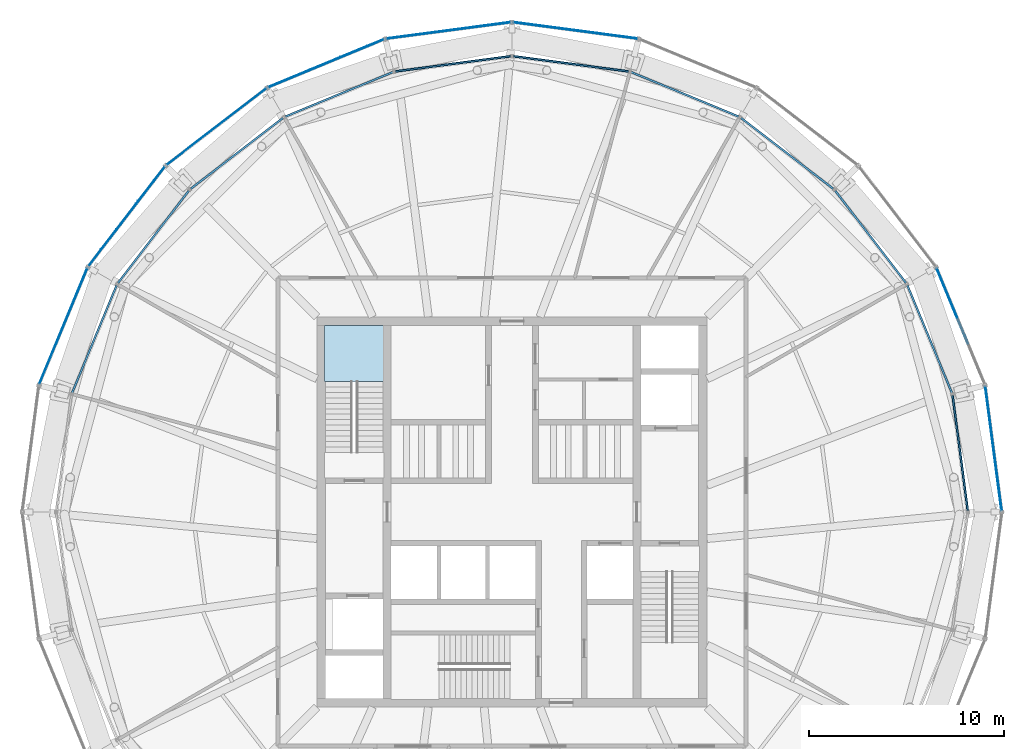
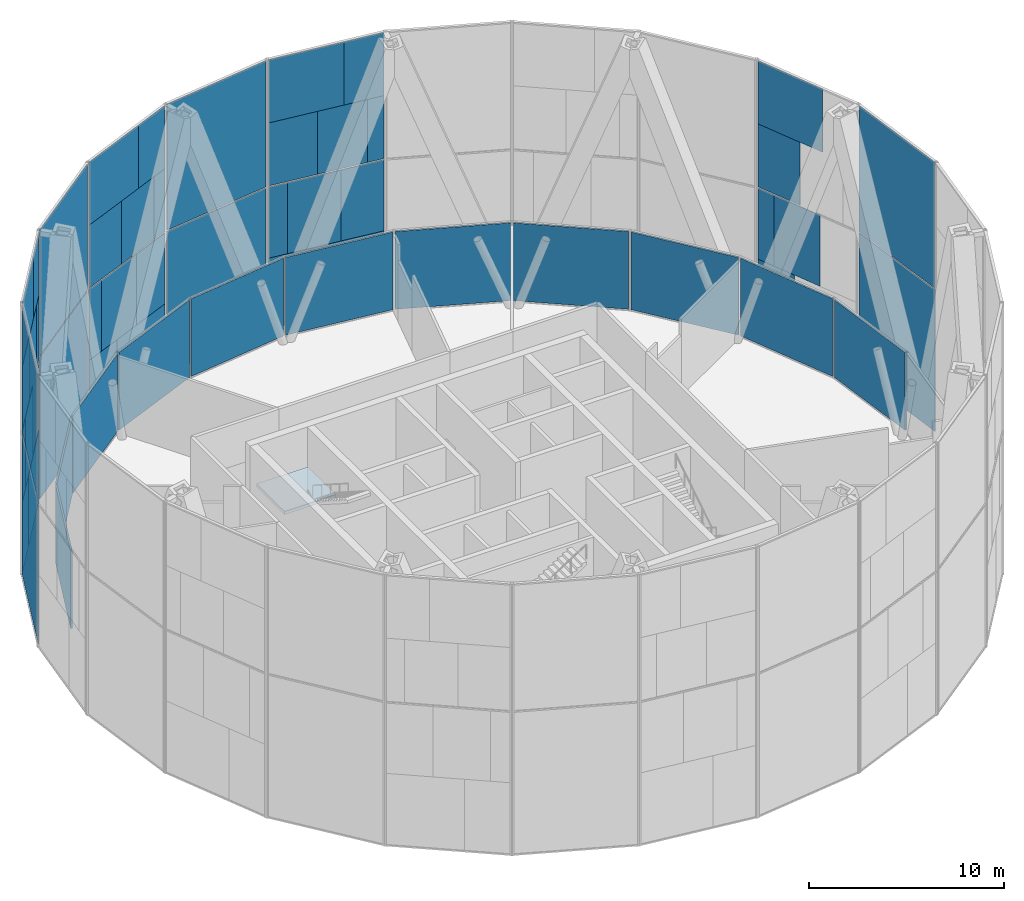
# One storey, part 11 of 15: 54 plates, 1 slab, 20 elements without a shape of their own.
"""IFC4 building model written with IfcOpenShell, lengths in metres."""

from ifc_helpers import new_model, si_unit, direction, frame, origin, origin_2d, place, context, subcontext, project, spatial, polyline, rectangle, outline, extrude, material, layer, layer_set, type_object, element, aggregate, save


model = new_model("IFC4")

# Units and contexts
model_context = context("Model", 3, precision=1e-05, world=origin(), true_north=direction((0.0, 1.0)))
body_context = subcontext(model_context, "Body", "Model", "MODEL_VIEW")
ifc_project = project(units=[si_unit("LENGTHUNIT", "METRE"), si_unit("AREAUNIT", "SQUARE_METRE"), si_unit("VOLUMEUNIT", "CUBIC_METRE"), si_unit("PLANEANGLEUNIT", "RADIAN"), si_unit("MASSUNIT", "GRAM", prefix="KILO")], contexts=[model_context])

# Site, building, storey
site_placement = place(None, origin())
site = spatial("IfcSite", under=ifc_project, at=site_placement, CompositionType="ELEMENT")
building_placement = place(site_placement, origin())
building = spatial("IfcBuilding", under=site, at=building_placement, Name="Golbaran Civic Tower", CompositionType="ELEMENT")
storey_placement = place(building_placement, frame((0.0, 0.0, 215.0)))
storey = spatial("IfcBuildingStorey", under=building, at=storey_placement, Name="L52", CompositionType="ELEMENT", Elevation=215.0)

# Curtain wall, plates
ifc_material_1 = material(Name="Aluminium and glass", Category="aluminium")
curtain_wall_type_1 = type_object("IfcCurtainWallType", Name="OUTER SKIN TERRACOTTA SCREEN", PredefinedType="NOTDEFINED", material=ifc_material_1)
curtain_wall_1_placement = place(storey_placement, origin())
curtain_wall_1 = element("IfcCurtainWall", 1, at=curtain_wall_1_placement, inside=storey, type_object=curtain_wall_type_1, Name="Outer skin L52 facet 2 CW3", ObjectType="OUTER SKIN", PredefinedType="USERDEFINED")
ifc_material_2 = material(Name="Clear laminated glass", Category="glass")
ifc_layer_1 = layer(ifc_material_2, 0.0400390625, Name="Clear laminated glass")
ifc_layer_set_1 = layer_set([ifc_layer_1], Name="Clear laminated glass")
plate_type_1 = type_object("IfcPlateType", Name="OUTER SKIN CLEAR GLASS PANEL", PredefinedType="CURTAIN_PANEL", material=ifc_layer_set_1)
plate_1_placement = place(storey_placement, frame((21.971923828125, 11.998779296875, 3.81005859375), z_axis=(0.0, 0.0, 1.0), x_axis=(-0.38268343243, 0.923879532485, 0.0)))
plate_1 = element("IfcPlate", 2, at=plate_1_placement, type_object=plate_type_1, Name="CW3 panel 1.1 part 5", PredefinedType="CURTAIN_PANEL", context=body_context, shape_type="SweptSolid", body=[
    extrude(rectangle(XDim=1.0400390625, YDim=0.0400390625, at=origin_2d()), origin(), (0.0, 0.0, 1.0), 4.43994140625),
])
plate_2_placement = place(storey_placement, frame((22.292236328125, 11.225341796875, 8.330078125), z_axis=(0.0, 0.0, 1.0), x_axis=(-0.38268343243, 0.923879532485, 0.0)))
plate_2 = element("IfcPlate", 3, at=plate_2_placement, type_object=plate_type_1, Name="CW3 panel 1.2 part 3", PredefinedType="CURTAIN_PANEL", context=body_context, shape_type="SweptSolid", body=[
    extrude(rectangle(XDim=2.7138671875, YDim=0.0400390625, at=origin_2d()), origin(), (0.0, 0.0, 1.0), 3.93994140625),
])
plate_3_placement = place(storey_placement, frame((22.57177734375, 10.550537109375, 12.27001953125), z_axis=(0.0, 0.0, 1.0), x_axis=(-0.38268343243, 0.923879532485, 0.0)))
plate_3 = element("IfcPlate", 4, at=plate_3_placement, type_object=plate_type_1, Name="CW3 panel 1.2 part 5", PredefinedType="CURTAIN_PANEL", context=body_context, shape_type="SweptSolid", body=[
    extrude(rectangle(XDim=4.175048828125, YDim=0.0400390625, at=origin_2d()), origin(), (0.0, 0.0, 1.0), 3.93994140625),
])

curtain_wall_2_placement = place(storey_placement, origin())
curtain_wall_2 = element("IfcCurtainWall", 5, at=curtain_wall_2_placement, inside=storey, type_object=curtain_wall_type_1, Name="Outer skin L52 facet 6 CW3", ObjectType="OUTER SKIN", PredefinedType="USERDEFINED")
plate_4_placement = place(storey_placement, frame((4.41943359375, 24.524169921875, -0.6298828125), z_axis=(0.0, 0.0, 1.0), x_axis=(-0.991444861376, 0.130526192203, 0.0)))
plate_4 = element("IfcPlate", 6, at=plate_4_placement, type_object=plate_type_1, Name="CW3 panel 1.1 part 1", PredefinedType="CURTAIN_PANEL", context=body_context, shape_type="SweptSolid", body=[
    extrude(rectangle(XDim=4.032958984375, YDim=0.0400390625, at=origin_2d()), origin(), (0.0, 0.0, 1.0), 4.43994140625),
])
plate_5_placement = place(storey_placement, frame((5.232421875, 24.417236328125, 3.81005859375), z_axis=(0.0, 0.0, 1.0), x_axis=(-0.991444861376, 0.130526192203, 0.0)))
plate_5 = element("IfcPlate", 7, at=plate_5_placement, type_object=plate_type_1, Name="CW3 panel 1.1 part 3", PredefinedType="CURTAIN_PANEL", context=body_context, shape_type="SweptSolid", body=[
    extrude(rectangle(XDim=2.39306640625, YDim=0.0400390625, at=origin_2d()), origin(), (0.0, 0.0, 1.0), 4.43994140625),
])
plate_6_placement = place(storey_placement, frame((0.594970703125, 25.027587890625, 3.81005859375), z_axis=(0.0, 0.0, 1.0), x_axis=(-0.991444861376, 0.130526192203, 0.0)))
plate_6 = element("IfcPlate", 8, at=plate_6_placement, type_object=plate_type_1, Name="CW3 panel 1.1 part 5", PredefinedType="CURTAIN_PANEL", context=body_context, shape_type="SweptSolid", body=[
    extrude(rectangle(XDim=1.0400390625, YDim=0.0400390625, at=origin_2d()), origin(), (0.0, 0.0, 1.0), 4.43994140625),
])
plate_7_placement = place(storey_placement, frame((5.968505859375, 24.3203125, 8.330078125), z_axis=(0.0, 0.0, 1.0), x_axis=(-0.991444861376, 0.130526192203, 0.0)))
plate_7 = element("IfcPlate", 9, at=plate_7_placement, type_object=plate_type_1, Name="CW3 panel 1.2 part 1", PredefinedType="CURTAIN_PANEL", context=body_context, shape_type="SweptSolid", body=[
    extrude(rectangle(XDim=0.907958984375, YDim=0.0400390625, at=origin_2d()), origin(), (0.0, 0.0, 1.0), 3.93994140625),
])
plate_8_placement = place(storey_placement, frame((1.4248046875, 24.91845703125, 8.330078125), z_axis=(0.0, 0.0, 1.0), x_axis=(-0.991444861376, 0.130526192203, 0.0)))
plate_8 = element("IfcPlate", 10, at=plate_8_placement, type_object=plate_type_1, Name="CW3 panel 1.2 part 3", PredefinedType="CURTAIN_PANEL", context=body_context, shape_type="SweptSolid", body=[
    extrude(rectangle(XDim=2.7138671875, YDim=0.0400390625, at=origin_2d()), origin(), (0.0, 0.0, 1.0), 3.93994140625),
])
plate_9_placement = place(storey_placement, frame((2.14892578125, 24.822998046875, 12.27001953125), z_axis=(0.0, 0.0, 1.0), x_axis=(-0.991444861376, 0.130526192203, 0.0)))
plate_9 = element("IfcPlate", 11, at=plate_9_placement, type_object=plate_type_1, Name="CW3 panel 1.2 part 5", PredefinedType="CURTAIN_PANEL", context=body_context, shape_type="SweptSolid", body=[
    extrude(rectangle(XDim=4.175048828125, YDim=0.0400390625, at=origin_2d()), origin(), (0.0, 0.0, 1.0), 3.93994140625),
])

curtain_wall_3_placement = place(storey_placement, origin())
curtain_wall_3 = element("IfcCurtainWall", 12, at=curtain_wall_3_placement, inside=storey, type_object=curtain_wall_type_1, Name="Outer skin L52 facet 8 CW3", ObjectType="OUTER SKIN", PredefinedType="USERDEFINED")
plate_10_placement = place(storey_placement, frame((-8.434814453125, 23.4482421875, -0.6298828125), z_axis=(0.0, 0.0, 1.0), x_axis=(-0.923879532485, -0.38268343243, 0.0)))
plate_10 = element("IfcPlate", 13, at=plate_10_placement, type_object=plate_type_1, Name="CW3 panel 1.1 part 1", PredefinedType="CURTAIN_PANEL", context=body_context, shape_type="SweptSolid", body=[
    extrude(rectangle(XDim=4.032958984375, YDim=0.0400390625, at=origin_2d()), origin(), (0.0, 0.0, 1.0), 4.43994140625),
])
plate_11_placement = place(storey_placement, frame((-7.67724609375, 23.761962890625, 3.81005859375), z_axis=(0.0, 0.0, 1.0), x_axis=(-0.923879532485, -0.38268343243, 0.0)))
plate_11 = element("IfcPlate", 14, at=plate_11_placement, type_object=plate_type_1, Name="CW3 panel 1.1 part 3", PredefinedType="CURTAIN_PANEL", context=body_context, shape_type="SweptSolid", body=[
    extrude(rectangle(XDim=2.39306640625, YDim=0.0400390625, at=origin_2d()), origin(), (0.0, 0.0, 1.0), 4.43994140625),
])
plate_12_placement = place(storey_placement, frame((-11.998779296875, 21.971923828125, 3.81005859375), z_axis=(0.0, 0.0, 1.0), x_axis=(-0.923879532485, -0.38268343243, 0.0)))
plate_12 = element("IfcPlate", 15, at=plate_12_placement, type_object=plate_type_1, Name="CW3 panel 1.1 part 5", PredefinedType="CURTAIN_PANEL", context=body_context, shape_type="SweptSolid", body=[
    extrude(rectangle(XDim=1.0400390625, YDim=0.0400390625, at=origin_2d()), origin(), (0.0, 0.0, 1.0), 4.43994140625),
])
plate_13_placement = place(storey_placement, frame((-6.9912109375, 24.046142578125, 8.330078125), z_axis=(0.0, 0.0, 1.0), x_axis=(-0.923879532485, -0.38268343243, 0.0)))
plate_13 = element("IfcPlate", 16, at=plate_13_placement, type_object=plate_type_1, Name="CW3 panel 1.2 part 1", PredefinedType="CURTAIN_PANEL", context=body_context, shape_type="SweptSolid", body=[
    extrude(rectangle(XDim=0.907958984375, YDim=0.0400390625, at=origin_2d()), origin(), (0.0, 0.0, 1.0), 3.93994140625),
])
plate_14_placement = place(storey_placement, frame((-11.225341796875, 22.292236328125, 8.330078125), z_axis=(0.0, 0.0, 1.0), x_axis=(-0.923879532485, -0.38268343243, 0.0)))
plate_14 = element("IfcPlate", 17, at=plate_14_placement, type_object=plate_type_1, Name="CW3 panel 1.2 part 3", PredefinedType="CURTAIN_PANEL", context=body_context, shape_type="SweptSolid", body=[
    extrude(rectangle(XDim=2.7138671875, YDim=0.0400390625, at=origin_2d()), origin(), (0.0, 0.0, 1.0), 3.93994140625),
])
plate_15_placement = place(storey_placement, frame((-10.550537109375, 22.57177734375, 12.27001953125), z_axis=(0.0, 0.0, 1.0), x_axis=(-0.923879532485, -0.38268343243, 0.0)))
plate_15 = element("IfcPlate", 18, at=plate_15_placement, type_object=plate_type_1, Name="CW3 panel 1.2 part 5", PredefinedType="CURTAIN_PANEL", context=body_context, shape_type="SweptSolid", body=[
    extrude(rectangle(XDim=4.175048828125, YDim=0.0400390625, at=origin_2d()), origin(), (0.0, 0.0, 1.0), 3.93994140625),
])

curtain_wall_4_placement = place(storey_placement, origin())
curtain_wall_4 = element("IfcCurtainWall", 19, at=curtain_wall_4_placement, inside=storey, type_object=curtain_wall_type_1, Name="Outer skin L52 facet 10 CW3", ObjectType="OUTER SKIN", PredefinedType="USERDEFINED")
plate_16_placement = place(storey_placement, frame((-19.02880859375, 16.08935546875, -0.6298828125), z_axis=(0.0, 0.0, 1.0), x_axis=(-0.60876142905, -0.793353340259, 0.0)))
plate_16 = element("IfcPlate", 20, at=plate_16_placement, type_object=plate_type_1, Name="CW3 panel 1.1 part 1", PredefinedType="CURTAIN_PANEL", context=body_context, shape_type="SweptSolid", body=[
    extrude(rectangle(XDim=4.032958984375, YDim=0.0400390625, at=origin_2d()), origin(), (0.0, 0.0, 1.0), 4.43994140625),
])
plate_17_placement = place(storey_placement, frame((-18.52978515625, 16.739990234375, 3.81005859375), z_axis=(0.0, 0.0, 1.0), x_axis=(-0.60876142905, -0.793353340259, 0.0)))
plate_17 = element("IfcPlate", 21, at=plate_17_placement, type_object=plate_type_1, Name="CW3 panel 1.1 part 3", PredefinedType="CURTAIN_PANEL", context=body_context, shape_type="SweptSolid", body=[
    extrude(rectangle(XDim=2.39306640625, YDim=0.0400390625, at=origin_2d()), origin(), (0.0, 0.0, 1.0), 4.43994140625),
])
plate_18_placement = place(storey_placement, frame((-21.377197265625, 13.029052734375, 3.81005859375), z_axis=(0.0, 0.0, 1.0), x_axis=(-0.60876142905, -0.793353340259, 0.0)))
plate_18 = element("IfcPlate", 22, at=plate_18_placement, type_object=plate_type_1, Name="CW3 panel 1.1 part 5", PredefinedType="CURTAIN_PANEL", context=body_context, shape_type="SweptSolid", body=[
    extrude(rectangle(XDim=1.0400390625, YDim=0.0400390625, at=origin_2d()), origin(), (0.0, 0.0, 1.0), 4.43994140625),
])
plate_19_placement = place(storey_placement, frame((-18.07763671875, 17.328857421875, 8.330078125), z_axis=(0.0, 0.0, 1.0), x_axis=(-0.60876142905, -0.793353340259, 0.0)))
plate_19 = element("IfcPlate", 23, at=plate_19_placement, type_object=plate_type_1, Name="CW3 panel 1.2 part 1", PredefinedType="CURTAIN_PANEL", context=body_context, shape_type="SweptSolid", body=[
    extrude(rectangle(XDim=0.907958984375, YDim=0.0400390625, at=origin_2d()), origin(), (0.0, 0.0, 1.0), 3.93994140625),
])
plate_20_placement = place(storey_placement, frame((-20.86767578125, 13.693115234375, 8.330078125), z_axis=(0.0, 0.0, 1.0), x_axis=(-0.60876142905, -0.793353340259, 0.0)))
plate_20 = element("IfcPlate", 24, at=plate_20_placement, type_object=plate_type_1, Name="CW3 panel 1.2 part 3", PredefinedType="CURTAIN_PANEL", context=body_context, shape_type="SweptSolid", body=[
    extrude(rectangle(XDim=2.7138671875, YDim=0.0400390625, at=origin_2d()), origin(), (0.0, 0.0, 1.0), 3.93994140625),
])
plate_21_placement = place(storey_placement, frame((-20.4228515625, 14.272705078125, 12.27001953125), z_axis=(0.0, 0.0, 1.0), x_axis=(-0.60876142905, -0.793353340259, 0.0)))
plate_21 = element("IfcPlate", 25, at=plate_21_placement, type_object=plate_type_1, Name="CW3 panel 1.2 part 5", PredefinedType="CURTAIN_PANEL", context=body_context, shape_type="SweptSolid", body=[
    extrude(rectangle(XDim=4.175048828125, YDim=0.0400390625, at=origin_2d()), origin(), (0.0, 0.0, 1.0), 3.93994140625),
])

# Plate
ifc_material_3 = material(Name="Terracotta baguette screen", Category="masonry")
ifc_layer_2 = layer(ifc_material_3, 0.0400390625, Name="Terracotta baguette screen")
ifc_layer_set_2 = layer_set([ifc_layer_2], Name="Terracotta baguette screen")
plate_type_2 = type_object("IfcPlateType", Name="OUTER SKIN TERRACOTTA INFILL PANEL", PredefinedType="CURTAIN_PANEL", material=ifc_layer_set_2)
plate_22_placement = place(storey_placement, frame((22.224853515625, 11.388427734375, -0.6298828125), z_axis=(0.0, 0.0, 1.0), x_axis=(-0.38268343243, 0.923879532485, 0.0)))
plate_22 = element("IfcPlate", 26, at=plate_22_placement, type_object=plate_type_2, Name="CW3 infill panel 1.1 part 2", PredefinedType="CURTAIN_PANEL", context=body_context, shape_type="SweptSolid", body=[
    extrude(rectangle(XDim=2.361083984375, YDim=0.0400390625, at=origin_2d()), origin(), (0.0, 0.0, 1.0), 4.43994140625),
])

plate_23_placement = place(storey_placement, frame((22.737548828125, 10.150390625, 3.81005859375), z_axis=(0.0, 0.0, 1.0), x_axis=(-0.38268343243, 0.923879532485, 0.0)))
plate_23 = element("IfcPlate", 27, at=plate_23_placement, type_object=plate_type_2, Name="CW3 infill panel 1.1 part 4", PredefinedType="CURTAIN_PANEL", context=body_context, shape_type="SweptSolid", body=[
    extrude(rectangle(XDim=2.9609375, YDim=0.0400390625, at=origin_2d()), origin(), (0.0, 0.0, 1.0), 4.43994140625),
])

aggregate(curtain_wall_1, [plate_22, plate_23, plate_1, plate_2, plate_3])

plate_24_placement = place(storey_placement, frame((1.249755859375, 24.94140625, -0.6298828125), z_axis=(0.0, 0.0, 1.0), x_axis=(-0.991444861376, 0.130526192203, 0.0)))
plate_24 = element("IfcPlate", 28, at=plate_24_placement, type_object=plate_type_2, Name="CW3 infill panel 1.1 part 2", PredefinedType="CURTAIN_PANEL", context=body_context, shape_type="SweptSolid", body=[
    extrude(rectangle(XDim=2.361083984375, YDim=0.0400390625, at=origin_2d()), origin(), (0.0, 0.0, 1.0), 4.43994140625),
])

plate_25_placement = place(storey_placement, frame((2.578125, 24.7666015625, 3.81005859375), z_axis=(0.0, 0.0, 1.0), x_axis=(-0.991444861376, 0.130526192203, 0.0)))
plate_25 = element("IfcPlate", 29, at=plate_25_placement, type_object=plate_type_2, Name="CW3 infill panel 1.1 part 4", PredefinedType="CURTAIN_PANEL", context=body_context, shape_type="SweptSolid", body=[
    extrude(rectangle(XDim=2.9609375, YDim=0.0400390625, at=origin_2d()), origin(), (0.0, 0.0, 1.0), 4.43994140625),
])

plate_26_placement = place(storey_placement, frame((4.144287109375, 24.560302734375, 8.330078125), z_axis=(0.0, 0.0, 1.0), x_axis=(-0.991444861376, 0.130526192203, 0.0)))
plate_26 = element("IfcPlate", 30, at=plate_26_placement, type_object=plate_type_2, Name="CW3 infill panel 1.2 part 2", PredefinedType="CURTAIN_PANEL", context=body_context, shape_type="SweptSolid", body=[
    extrude(rectangle(XDim=2.77197265625, YDim=0.0400390625, at=origin_2d()), origin(), (0.0, 0.0, 1.0), 3.93994140625),
])

plate_27_placement = place(storey_placement, frame((5.318603515625, 24.40576171875, 12.27001953125), z_axis=(0.0, 0.0, 1.0), x_axis=(-0.991444861376, 0.130526192203, 0.0)))
plate_27 = element("IfcPlate", 31, at=plate_27_placement, type_object=plate_type_2, Name="CW3 infill panel 1.2 part 4", PredefinedType="CURTAIN_PANEL", context=body_context, shape_type="SweptSolid", body=[
    extrude(rectangle(XDim=2.218994140625, YDim=0.0400390625, at=origin_2d()), origin(), (0.0, 0.0, 1.0), 3.93994140625),
])

aggregate(curtain_wall_2, [plate_4, plate_24, plate_5, plate_25, plate_6, plate_7, plate_26, plate_8, plate_27, plate_9])

plate_28_placement = place(storey_placement, frame((-11.388427734375, 22.224853515625, -0.6298828125), z_axis=(0.0, 0.0, 1.0), x_axis=(-0.923879532485, -0.38268343243, 0.0)))
plate_28 = element("IfcPlate", 32, at=plate_28_placement, type_object=plate_type_2, Name="CW3 infill panel 1.1 part 2", PredefinedType="CURTAIN_PANEL", context=body_context, shape_type="SweptSolid", body=[
    extrude(rectangle(XDim=2.361083984375, YDim=0.0400390625, at=origin_2d()), origin(), (0.0, 0.0, 1.0), 4.43994140625),
])

plate_29_placement = place(storey_placement, frame((-10.150390625, 22.737548828125, 3.81005859375), z_axis=(0.0, 0.0, 1.0), x_axis=(-0.923879532485, -0.38268343243, 0.0)))
plate_29 = element("IfcPlate", 33, at=plate_29_placement, type_object=plate_type_2, Name="CW3 infill panel 1.1 part 4", PredefinedType="CURTAIN_PANEL", context=body_context, shape_type="SweptSolid", body=[
    extrude(rectangle(XDim=2.9609375, YDim=0.0400390625, at=origin_2d()), origin(), (0.0, 0.0, 1.0), 4.43994140625),
])

plate_30_placement = place(storey_placement, frame((-8.691162109375, 23.342041015625, 8.330078125), z_axis=(0.0, 0.0, 1.0), x_axis=(-0.923879532485, -0.38268343243, 0.0)))
plate_30 = element("IfcPlate", 34, at=plate_30_placement, type_object=plate_type_2, Name="CW3 infill panel 1.2 part 2", PredefinedType="CURTAIN_PANEL", context=body_context, shape_type="SweptSolid", body=[
    extrude(rectangle(XDim=2.77197265625, YDim=0.0400390625, at=origin_2d()), origin(), (0.0, 0.0, 1.0), 3.93994140625),
])

plate_31_placement = place(storey_placement, frame((-7.596923828125, 23.79541015625, 12.27001953125), z_axis=(0.0, 0.0, 1.0), x_axis=(-0.923879532485, -0.38268343243, 0.0)))
plate_31 = element("IfcPlate", 35, at=plate_31_placement, type_object=plate_type_2, Name="CW3 infill panel 1.2 part 4", PredefinedType="CURTAIN_PANEL", context=body_context, shape_type="SweptSolid", body=[
    extrude(rectangle(XDim=2.218994140625, YDim=0.0400390625, at=origin_2d()), origin(), (0.0, 0.0, 1.0), 3.93994140625),
])

aggregate(curtain_wall_3, [plate_10, plate_28, plate_11, plate_29, plate_12, plate_13, plate_30, plate_14, plate_31, plate_15])

plate_32_placement = place(storey_placement, frame((-20.97509765625, 13.552978515625, -0.6298828125), z_axis=(0.0, 0.0, 1.0), x_axis=(-0.60876142905, -0.793353340259, 0.0)))
plate_32 = element("IfcPlate", 36, at=plate_32_placement, type_object=plate_type_2, Name="CW3 infill panel 1.1 part 2", PredefinedType="CURTAIN_PANEL", context=body_context, shape_type="SweptSolid", body=[
    extrude(rectangle(XDim=2.361083984375, YDim=0.0400390625, at=origin_2d()), origin(), (0.0, 0.0, 1.0), 4.43994140625),
])

plate_33_placement = place(storey_placement, frame((-20.159423828125, 14.6162109375, 3.81005859375), z_axis=(0.0, 0.0, 1.0), x_axis=(-0.60876142905, -0.793353340259, 0.0)))
plate_33 = element("IfcPlate", 37, at=plate_33_placement, type_object=plate_type_2, Name="CW3 infill panel 1.1 part 4", PredefinedType="CURTAIN_PANEL", context=body_context, shape_type="SweptSolid", body=[
    extrude(rectangle(XDim=2.9609375, YDim=0.0400390625, at=origin_2d()), origin(), (0.0, 0.0, 1.0), 4.43994140625),
])

plate_34_placement = place(storey_placement, frame((-19.19775390625, 15.869140625, 8.330078125), z_axis=(0.0, 0.0, 1.0), x_axis=(-0.60876142905, -0.793353340259, 0.0)))
plate_34 = element("IfcPlate", 38, at=plate_34_placement, type_object=plate_type_2, Name="CW3 infill panel 1.2 part 2", PredefinedType="CURTAIN_PANEL", context=body_context, shape_type="SweptSolid", body=[
    extrude(rectangle(XDim=2.77197265625, YDim=0.0400390625, at=origin_2d()), origin(), (0.0, 0.0, 1.0), 3.93994140625),
])

plate_35_placement = place(storey_placement, frame((-18.476806640625, 16.808837890625, 12.27001953125), z_axis=(0.0, 0.0, 1.0), x_axis=(-0.60876142905, -0.793353340259, 0.0)))
plate_35 = element("IfcPlate", 39, at=plate_35_placement, type_object=plate_type_2, Name="CW3 infill panel 1.2 part 4", PredefinedType="CURTAIN_PANEL", context=body_context, shape_type="SweptSolid", body=[
    extrude(rectangle(XDim=2.218994140625, YDim=0.0400390625, at=origin_2d()), origin(), (0.0, 0.0, 1.0), 3.93994140625),
])

aggregate(curtain_wall_4, [plate_16, plate_32, plate_17, plate_33, plate_18, plate_19, plate_34, plate_20, plate_35, plate_21])

# Curtain wall, plates
curtain_wall_5_placement = place(storey_placement, origin())
curtain_wall_5 = element("IfcCurtainWall", 40, at=curtain_wall_5_placement, inside=storey, type_object=curtain_wall_type_1, Name="Outer skin L52 facet 1 CW3", ObjectType="OUTER SKIN", PredefinedType="USERDEFINED")
ifc_layer_3 = layer(ifc_material_3, 0.0400390625, Name="Terracotta baguette screen")
ifc_layer_set_3 = layer_set([ifc_layer_3], Name="Terracotta baguette screen")
plate_type_3 = type_object("IfcPlateType", Name="OUTER SKIN TERRACOTTA SCREEN PANEL", PredefinedType="CURTAIN_PANEL", material=ifc_layer_set_3)
plate_36_placement = place(storey_placement, frame((24.67822265625, 3.2490234375, -0.6298828125), z_axis=(0.0, 0.0, 1.0), x_axis=(-0.130526192203, 0.991444861376, 0.0)))
plate_36 = element("IfcPlate", 41, at=plate_36_placement, type_object=plate_type_3, Name="CW3 terracotta screen panel 1.1", PredefinedType="CURTAIN_PANEL", context=body_context, shape_type="SweptSolid", body=[
    extrude(rectangle(XDim=6.39404296875, YDim=0.0400390625, at=origin_2d()), origin(), (0.0, 0.0, 1.0), 8.8798828125),
])
plate_37_placement = place(storey_placement, frame((24.67822265625, 3.2490234375, 8.330078125), z_axis=(0.0, 0.0, 1.0), x_axis=(-0.130526192203, 0.991444861376, 0.0)))
plate_37 = element("IfcPlate", 42, at=plate_37_placement, type_object=plate_type_3, Name="CW3 terracotta screen panel 1.2", PredefinedType="CURTAIN_PANEL", context=body_context, shape_type="SweptSolid", body=[
    extrude(rectangle(XDim=6.39404296875, YDim=0.0400390625, at=origin_2d()), origin(), (0.0, 0.0, 1.0), 7.8798828125),
])
aggregate(curtain_wall_5, [plate_36, plate_37])

curtain_wall_6_placement = place(storey_placement, origin())
curtain_wall_6 = element("IfcCurtainWall", 43, at=curtain_wall_6_placement, inside=storey, type_object=curtain_wall_type_1, Name="Outer skin L52 facet 7 CW3", ObjectType="OUTER SKIN", PredefinedType="USERDEFINED")
plate_38_placement = place(storey_placement, frame((-3.2490234375, 24.67822265625, -0.6298828125), z_axis=(0.0, 0.0, 1.0), x_axis=(-0.991444861376, -0.130526192203, 0.0)))
plate_38 = element("IfcPlate", 44, at=plate_38_placement, type_object=plate_type_3, Name="CW3 terracotta screen panel 1.1", PredefinedType="CURTAIN_PANEL", context=body_context, shape_type="SweptSolid", body=[
    extrude(rectangle(XDim=6.39404296875, YDim=0.0400390625, at=origin_2d()), origin(), (0.0, 0.0, 1.0), 8.8798828125),
])
plate_39_placement = place(storey_placement, frame((-3.2490234375, 24.67822265625, 8.330078125), z_axis=(0.0, 0.0, 1.0), x_axis=(-0.991444861376, -0.130526192203, 0.0)))
plate_39 = element("IfcPlate", 45, at=plate_39_placement, type_object=plate_type_3, Name="CW3 terracotta screen panel 1.2", PredefinedType="CURTAIN_PANEL", context=body_context, shape_type="SweptSolid", body=[
    extrude(rectangle(XDim=6.39404296875, YDim=0.0400390625, at=origin_2d()), origin(), (0.0, 0.0, 1.0), 7.8798828125),
])
aggregate(curtain_wall_6, [plate_38, plate_39])

curtain_wall_7_placement = place(storey_placement, origin())
curtain_wall_7 = element("IfcCurtainWall", 46, at=curtain_wall_7_placement, inside=storey, type_object=curtain_wall_type_1, Name="Outer skin L52 facet 9 CW3", ObjectType="OUTER SKIN", PredefinedType="USERDEFINED")
plate_40_placement = place(storey_placement, frame((-15.15283203125, 19.74755859375, -0.6298828125), z_axis=(0.0, 0.0, 1.0), x_axis=(-0.793353340259, -0.60876142905, 0.0)))
plate_40 = element("IfcPlate", 47, at=plate_40_placement, type_object=plate_type_3, Name="CW3 terracotta screen panel 1.1", PredefinedType="CURTAIN_PANEL", context=body_context, shape_type="SweptSolid", body=[
    extrude(rectangle(XDim=6.39404296875, YDim=0.0400390625, at=origin_2d()), origin(), (0.0, 0.0, 1.0), 8.8798828125),
])
plate_41_placement = place(storey_placement, frame((-15.15283203125, 19.74755859375, 8.330078125), z_axis=(0.0, 0.0, 1.0), x_axis=(-0.793353340259, -0.60876142905, 0.0)))
plate_41 = element("IfcPlate", 48, at=plate_41_placement, type_object=plate_type_3, Name="CW3 terracotta screen panel 1.2", PredefinedType="CURTAIN_PANEL", context=body_context, shape_type="SweptSolid", body=[
    extrude(rectangle(XDim=6.39404296875, YDim=0.0400390625, at=origin_2d()), origin(), (0.0, 0.0, 1.0), 7.8798828125),
])
aggregate(curtain_wall_7, [plate_40, plate_41])

curtain_wall_8_placement = place(storey_placement, origin())
curtain_wall_8 = element("IfcCurtainWall", 49, at=curtain_wall_8_placement, inside=storey, type_object=curtain_wall_type_1, Name="Outer skin L52 facet 11 CW3", ObjectType="OUTER SKIN", PredefinedType="USERDEFINED")
plate_42_placement = place(storey_placement, frame((-22.99658203125, 9.525390625, -0.6298828125), z_axis=(0.0, 0.0, 1.0), x_axis=(-0.38268343243, -0.923879532485, 0.0)))
plate_42 = element("IfcPlate", 50, at=plate_42_placement, type_object=plate_type_3, Name="CW3 terracotta screen panel 1.1", PredefinedType="CURTAIN_PANEL", context=body_context, shape_type="SweptSolid", body=[
    extrude(rectangle(XDim=6.39404296875, YDim=0.0400390625, at=origin_2d()), origin(), (0.0, 0.0, 1.0), 8.8798828125),
])
plate_43_placement = place(storey_placement, frame((-22.99658203125, 9.525390625, 8.330078125), z_axis=(0.0, 0.0, 1.0), x_axis=(-0.38268343243, -0.923879532485, 0.0)))
plate_43 = element("IfcPlate", 51, at=plate_43_placement, type_object=plate_type_3, Name="CW3 terracotta screen panel 1.2", PredefinedType="CURTAIN_PANEL", context=body_context, shape_type="SweptSolid", body=[
    extrude(rectangle(XDim=6.39404296875, YDim=0.0400390625, at=origin_2d()), origin(), (0.0, 0.0, 1.0), 7.8798828125),
])
aggregate(curtain_wall_8, [plate_42, plate_43])

# Curtain wall, plate
curtain_wall_type_2 = type_object("IfcCurtainWallType", Name="PLANT FLOOR LOUVRE WALL", PredefinedType="NOTDEFINED", material=ifc_material_1)
curtain_wall_9_placement = place(storey_placement, origin())
curtain_wall_9 = element("IfcCurtainWall", 52, at=curtain_wall_9_placement, inside=storey, type_object=curtain_wall_type_2, Name="Inner skin L52 facet 1 CW6", ObjectType="PLANT LOUVRE WALL", PredefinedType="USERDEFINED")
ifc_material_4 = material(Name="Aluminium louvre", Category="aluminium")
ifc_layer_4 = layer(ifc_material_4, 0.10009765625, Name="Aluminium louvre")
ifc_layer_set_4 = layer_set([ifc_layer_4], Name="Aluminium louvre")
plate_type_4 = type_object("IfcPlateType", Name="PLANT FLOOR LOUVRE WALL LOUVRE PANEL", PredefinedType="CURTAIN_PANEL", material=ifc_layer_set_4)
plate_44_placement = place(storey_placement, frame((22.967041015625, 3.023681640625, 0.06982421875), z_axis=(0.0, 0.0, 1.0), x_axis=(-0.130526192255, 0.991444861369, 0.0)))
plate_44 = element("IfcPlate", 53, at=plate_44_placement, type_object=plate_type_4, Name="CW6 panel 1.1", PredefinedType="CURTAIN_PANEL", context=body_context, shape_type="SweptSolid", body=[
    extrude(rectangle(XDim=5.95947265625, YDim=0.10009765625, at=origin_2d()), origin(), (0.0, 0.0, 1.0), 4.860107421875),
])
aggregate(curtain_wall_9, [plate_44])

curtain_wall_10_placement = place(storey_placement, origin())
curtain_wall_10 = element("IfcCurtainWall", 54, at=curtain_wall_10_placement, inside=storey, type_object=curtain_wall_type_2, Name="Inner skin L52 facet 2 CW6", ObjectType="PLANT LOUVRE WALL", PredefinedType="USERDEFINED")
plate_45_placement = place(storey_placement, frame((21.40185546875, 8.864990234375, 0.06982421875), z_axis=(0.0, 0.0, 1.0), x_axis=(-0.382683432397, 0.923879532498, 0.0)))
plate_45 = element("IfcPlate", 55, at=plate_45_placement, type_object=plate_type_4, Name="CW6 panel 1.1", PredefinedType="CURTAIN_PANEL", context=body_context, shape_type="SweptSolid", body=[
    extrude(rectangle(XDim=5.95947265625, YDim=0.10009765625, at=origin_2d()), origin(), (0.0, 0.0, 1.0), 4.860107421875),
])
aggregate(curtain_wall_10, [plate_45])

curtain_wall_11_placement = place(storey_placement, origin())
curtain_wall_11 = element("IfcCurtainWall", 56, at=curtain_wall_11_placement, inside=storey, type_object=curtain_wall_type_2, Name="Inner skin L52 facet 3 CW6", ObjectType="PLANT LOUVRE WALL", PredefinedType="USERDEFINED")
plate_46_placement = place(storey_placement, frame((18.378173828125, 14.10205078125, 0.06982421875), z_axis=(0.0, 0.0, 1.0), x_axis=(-0.608761429036, 0.79335334027, 0.0)))
plate_46 = element("IfcPlate", 57, at=plate_46_placement, type_object=plate_type_4, Name="CW6 panel 1.1", PredefinedType="CURTAIN_PANEL", context=body_context, shape_type="SweptSolid", body=[
    extrude(rectangle(XDim=5.95947265625, YDim=0.10009765625, at=origin_2d()), origin(), (0.0, 0.0, 1.0), 4.860107421875),
])
aggregate(curtain_wall_11, [plate_46])

curtain_wall_12_placement = place(storey_placement, origin())
curtain_wall_12 = element("IfcCurtainWall", 58, at=curtain_wall_12_placement, inside=storey, type_object=curtain_wall_type_2, Name="Inner skin L52 facet 4 CW6", ObjectType="PLANT LOUVRE WALL", PredefinedType="USERDEFINED")
plate_47_placement = place(storey_placement, frame((14.10205078125, 18.378173828125, 0.06982421875), z_axis=(0.0, 0.0, 1.0), x_axis=(-0.79335334027, 0.608761429036, 0.0)))
plate_47 = element("IfcPlate", 59, at=plate_47_placement, type_object=plate_type_4, Name="CW6 panel 1.1", PredefinedType="CURTAIN_PANEL", context=body_context, shape_type="SweptSolid", body=[
    extrude(rectangle(XDim=5.95947265625, YDim=0.10009765625, at=origin_2d()), origin(), (0.0, 0.0, 1.0), 4.860107421875),
])
aggregate(curtain_wall_12, [plate_47])

curtain_wall_13_placement = place(storey_placement, origin())
curtain_wall_13 = element("IfcCurtainWall", 60, at=curtain_wall_13_placement, inside=storey, type_object=curtain_wall_type_2, Name="Inner skin L52 facet 5 CW6", ObjectType="PLANT LOUVRE WALL", PredefinedType="USERDEFINED")
plate_48_placement = place(storey_placement, frame((8.864990234375, 21.40185546875, 0.06982421875), z_axis=(0.0, 0.0, 1.0), x_axis=(-0.923879532498, 0.382683432397, 0.0)))
plate_48 = element("IfcPlate", 61, at=plate_48_placement, type_object=plate_type_4, Name="CW6 panel 1.1", PredefinedType="CURTAIN_PANEL", context=body_context, shape_type="SweptSolid", body=[
    extrude(rectangle(XDim=5.95947265625, YDim=0.10009765625, at=origin_2d()), origin(), (0.0, 0.0, 1.0), 4.860107421875),
])
aggregate(curtain_wall_13, [plate_48])

curtain_wall_14_placement = place(storey_placement, origin())
curtain_wall_14 = element("IfcCurtainWall", 62, at=curtain_wall_14_placement, inside=storey, type_object=curtain_wall_type_2, Name="Inner skin L52 facet 6 CW6", ObjectType="PLANT LOUVRE WALL", PredefinedType="USERDEFINED")
plate_49_placement = place(storey_placement, frame((3.023681640625, 22.967041015625, 0.06982421875), z_axis=(0.0, 0.0, 1.0), x_axis=(-0.991444861369, 0.130526192255, 0.0)))
plate_49 = element("IfcPlate", 63, at=plate_49_placement, type_object=plate_type_4, Name="CW6 panel 1.1", PredefinedType="CURTAIN_PANEL", context=body_context, shape_type="SweptSolid", body=[
    extrude(rectangle(XDim=5.95947265625, YDim=0.10009765625, at=origin_2d()), origin(), (0.0, 0.0, 1.0), 4.860107421875),
])
aggregate(curtain_wall_14, [plate_49])

curtain_wall_15_placement = place(storey_placement, origin())
curtain_wall_15 = element("IfcCurtainWall", 64, at=curtain_wall_15_placement, inside=storey, type_object=curtain_wall_type_2, Name="Inner skin L52 facet 7 CW6", ObjectType="PLANT LOUVRE WALL", PredefinedType="USERDEFINED")
plate_50_placement = place(storey_placement, frame((-3.023681640625, 22.967041015625, 0.06982421875), z_axis=(0.0, 0.0, 1.0), x_axis=(-0.991444861369, -0.130526192255, 0.0)))
plate_50 = element("IfcPlate", 65, at=plate_50_placement, type_object=plate_type_4, Name="CW6 panel 1.1", PredefinedType="CURTAIN_PANEL", context=body_context, shape_type="SweptSolid", body=[
    extrude(rectangle(XDim=5.95947265625, YDim=0.10009765625, at=origin_2d()), origin(), (0.0, 0.0, 1.0), 4.860107421875),
])
aggregate(curtain_wall_15, [plate_50])

curtain_wall_16_placement = place(storey_placement, origin())
curtain_wall_16 = element("IfcCurtainWall", 66, at=curtain_wall_16_placement, inside=storey, type_object=curtain_wall_type_2, Name="Inner skin L52 facet 8 CW6", ObjectType="PLANT LOUVRE WALL", PredefinedType="USERDEFINED")
plate_51_placement = place(storey_placement, frame((-8.864990234375, 21.40185546875, 0.06982421875), z_axis=(0.0, 0.0, 1.0), x_axis=(-0.923879532498, -0.382683432397, 0.0)))
plate_51 = element("IfcPlate", 67, at=plate_51_placement, type_object=plate_type_4, Name="CW6 panel 1.1", PredefinedType="CURTAIN_PANEL", context=body_context, shape_type="SweptSolid", body=[
    extrude(rectangle(XDim=5.95947265625, YDim=0.10009765625, at=origin_2d()), origin(), (0.0, 0.0, 1.0), 4.860107421875),
])
aggregate(curtain_wall_16, [plate_51])

curtain_wall_17_placement = place(storey_placement, origin())
curtain_wall_17 = element("IfcCurtainWall", 68, at=curtain_wall_17_placement, inside=storey, type_object=curtain_wall_type_2, Name="Inner skin L52 facet 9 CW6", ObjectType="PLANT LOUVRE WALL", PredefinedType="USERDEFINED")
plate_52_placement = place(storey_placement, frame((-14.10205078125, 18.378173828125, 0.06982421875), z_axis=(0.0, 0.0, 1.0), x_axis=(-0.79335334027, -0.608761429036, 0.0)))
plate_52 = element("IfcPlate", 69, at=plate_52_placement, type_object=plate_type_4, Name="CW6 panel 1.1", PredefinedType="CURTAIN_PANEL", context=body_context, shape_type="SweptSolid", body=[
    extrude(rectangle(XDim=5.95947265625, YDim=0.10009765625, at=origin_2d()), origin(), (0.0, 0.0, 1.0), 4.860107421875),
])
aggregate(curtain_wall_17, [plate_52])

curtain_wall_18_placement = place(storey_placement, origin())
curtain_wall_18 = element("IfcCurtainWall", 70, at=curtain_wall_18_placement, inside=storey, type_object=curtain_wall_type_2, Name="Inner skin L52 facet 10 CW6", ObjectType="PLANT LOUVRE WALL", PredefinedType="USERDEFINED")
plate_53_placement = place(storey_placement, frame((-18.378173828125, 14.10205078125, 0.06982421875), z_axis=(0.0, 0.0, 1.0), x_axis=(-0.608761429036, -0.79335334027, 0.0)))
plate_53 = element("IfcPlate", 71, at=plate_53_placement, type_object=plate_type_4, Name="CW6 panel 1.1", PredefinedType="CURTAIN_PANEL", context=body_context, shape_type="SweptSolid", body=[
    extrude(rectangle(XDim=5.95947265625, YDim=0.10009765625, at=origin_2d()), origin(), (0.0, 0.0, 1.0), 4.860107421875),
])
aggregate(curtain_wall_18, [plate_53])

curtain_wall_19_placement = place(storey_placement, origin())
curtain_wall_19 = element("IfcCurtainWall", 72, at=curtain_wall_19_placement, inside=storey, type_object=curtain_wall_type_2, Name="Inner skin L52 facet 11 CW6", ObjectType="PLANT LOUVRE WALL", PredefinedType="USERDEFINED")
plate_54_placement = place(storey_placement, frame((-21.40185546875, 8.864990234375, 0.06982421875), z_axis=(0.0, 0.0, 1.0), x_axis=(-0.382683432397, -0.923879532498, 0.0)))
plate_54 = element("IfcPlate", 73, at=plate_54_placement, type_object=plate_type_4, Name="CW6 panel 1.1", PredefinedType="CURTAIN_PANEL", context=body_context, shape_type="SweptSolid", body=[
    extrude(rectangle(XDim=5.95947265625, YDim=0.10009765625, at=origin_2d()), origin(), (0.0, 0.0, 1.0), 4.860107421875),
])
aggregate(curtain_wall_19, [plate_54])

# Stair, slab
ifc_material_5 = material(Name="Concrete C35/45", Category="concrete")
stair_type = type_object("IfcStairType", Name="EXIT STAIR 2950 x 7800, 5000 RISE", PredefinedType="HALF_TURN_STAIR", material=ifc_material_5)
stair_placement = place(storey_placement, origin())
stair = element("IfcStair", 74, at=stair_placement, inside=storey, type_object=stair_type, Name="Stair S1 L52", PredefinedType="HALF_TURN_STAIR")
ifc_layer_5 = layer(ifc_material_5, 0.199951171875, Name="Concrete C35/45")
ifc_layer_set_5 = layer_set([ifc_layer_5], Name="Concrete C35/45")
slab_type = type_object("IfcSlabType", Name="STAIR LANDING 200", PredefinedType="LANDING", material=ifc_layer_set_5)
slab_placement = place(storey_placement, frame((0.0, 0.0, 2.300048828125)))
slab = element("IfcSlab", 75, at=slab_placement, type_object=slab_type, Name="ST29578-50 landing 1", PredefinedType="LANDING", context=body_context, shape_type="SweptSolid", body=[
    extrude(outline(polyline([(-9.60009765625, 6.68505859375), (-9.60009765625, 9.550048828125), (-6.550048828125, 9.550048828125), (-6.550048828125, 6.68505859375), (-9.60009765625, 6.68505859375)])), origin(), (0.0, 0.0, 1.0), 0.199951171875),
])
aggregate(stair, [slab])

save(model, "model.ifc")
